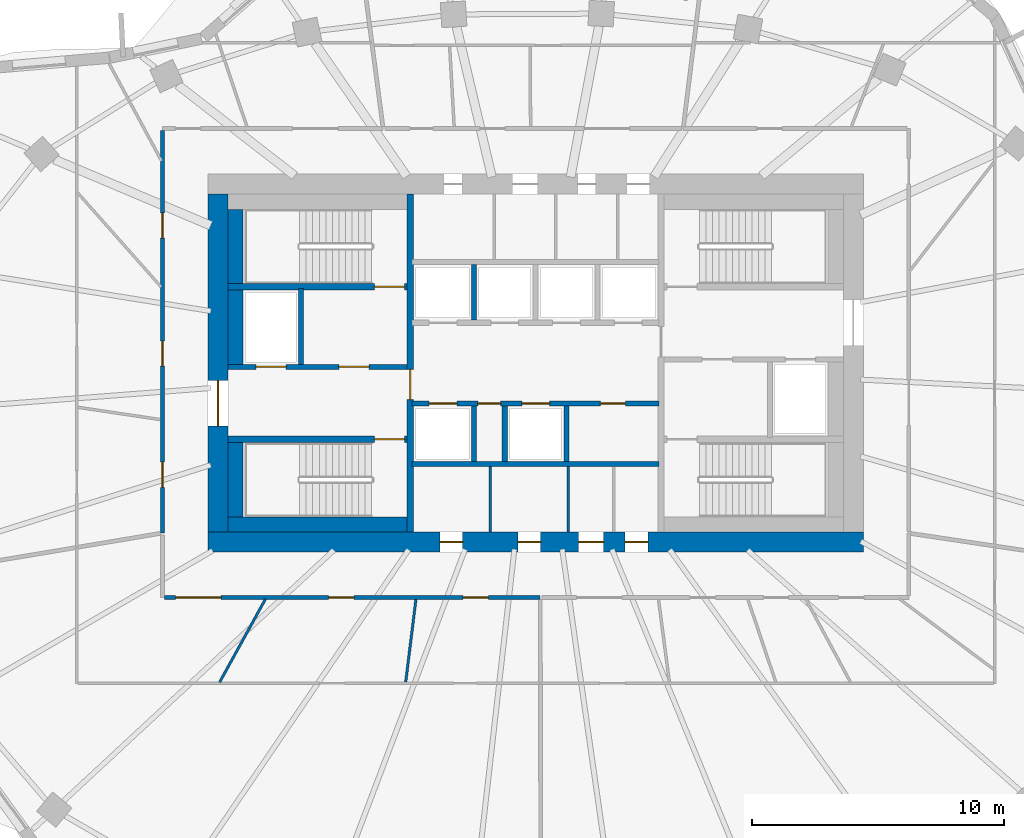
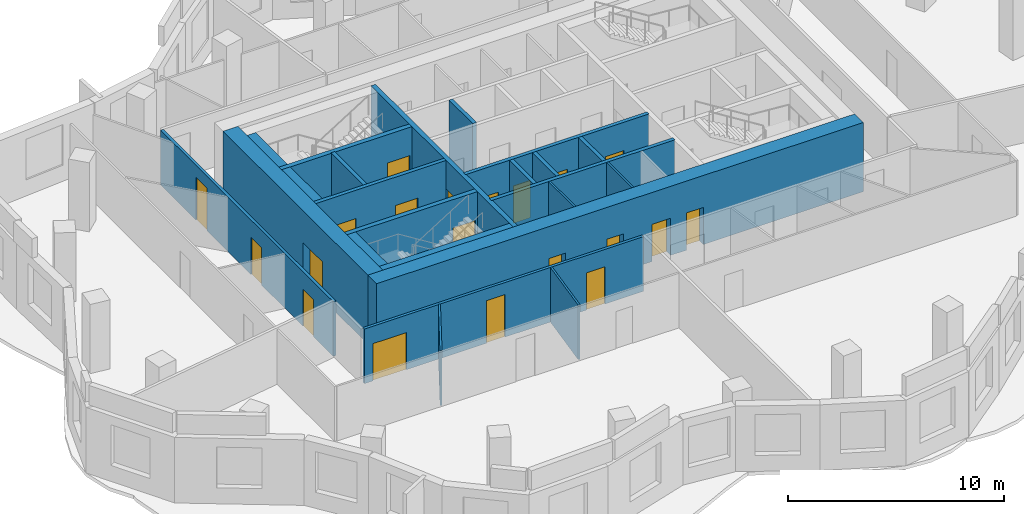
# One storey, part 4 of 9: 23 walls, 20 doors, 20 openings.
"""IFC4 building model written with IfcOpenShell, lengths in metres."""

from ifc_helpers import new_model, si_unit, direction, frame, frame_2d, origin, place, context, subcontext, project, spatial, rectangle, extrude, material, layer, layer_set, type_object, element, fill, save


model = new_model("IFC4")

# Units and contexts
model_context = context("Model", 3, precision=1e-05, world=origin(), true_north=direction((0.0, 1.0)))
body_context = subcontext(model_context, "Body", "Model", "MODEL_VIEW")
ifc_project = project(units=[si_unit("LENGTHUNIT", "METRE"), si_unit("AREAUNIT", "SQUARE_METRE"), si_unit("VOLUMEUNIT", "CUBIC_METRE"), si_unit("PLANEANGLEUNIT", "RADIAN"), si_unit("MASSUNIT", "GRAM", prefix="KILO")], contexts=[model_context])

# Site, building, storey
site_placement = place(None, origin())
site = spatial("IfcSite", under=ifc_project, at=site_placement, CompositionType="ELEMENT")
building_placement = place(site_placement, origin())
building = spatial("IfcBuilding", under=site, at=building_placement, Name="Rubra Terraces Tower", CompositionType="ELEMENT")
storey_placement = place(building_placement, frame((0.0, 0.0, 225.300048828125)))
storey = spatial("IfcBuildingStorey", under=building, at=storey_placement, Name="L55", CompositionType="ELEMENT", Elevation=225.300048828125)

# Wall, openings, doors
ifc_material_1 = material(Name="Concrete C50", Category="concrete")
ifc_layer_1 = layer(ifc_material_1, 0.800048828125)
ifc_layer_set_1 = layer_set([ifc_layer_1], Name="Concrete C50")
wall_type_1 = type_object("IfcWallType", Name="CORE WALL 800 C50", PredefinedType="SHEAR", material=ifc_layer_set_1)
wall_1_placement = place(storey_placement, frame((-13.0, -2.60009765625, 0.0), z_axis=(0.0, 0.0, 1.0), x_axis=(1.0, 0.0, 0.0)))
wall_1 = element("IfcWall", 1, at=wall_1_placement, inside=storey, type_object=wall_type_1, Name="CORE WALL S L55", PredefinedType="SHEAR", context=body_context, shape_type="SweptSolid", body=[
    extrude(rectangle(XDim=26.0, YDim=0.800048828125, at=frame_2d((13.0, 0.0))), origin(), (0.0, 0.0, 1.0), 3.89990234375),
])
opening_1_placement = place(wall_1_placement, frame((9.199951171875, 0.0, 0.0)))
opening_1 = element("IfcOpeningElement", 2, at=opening_1_placement, cuts=wall_1, Name="Opening L55.C21", PredefinedType="OPENING", context=body_context, shape_type="SweptSolid", body=[
    extrude(rectangle(XDim=0.89990234375, YDim=2.10009765625, at=frame_2d((0.449951171875, 1.050048828125))), frame((0.0, 0.409912109375, 0.0), z_axis=(0.0, -1.0, 0.0), x_axis=(1.0, 0.0, 0.0)), (0.0, 0.0, 1.0), 0.820068359375),
])
opening_2_placement = place(wall_1_placement, frame((12.300048828125, 0.0, 0.0)))
opening_2 = element("IfcOpeningElement", 3, at=opening_2_placement, cuts=wall_1, Name="Opening L55.C22", PredefinedType="OPENING", context=body_context, shape_type="SweptSolid", body=[
    extrude(rectangle(XDim=0.89990234375, YDim=2.10009765625, at=frame_2d((0.449951171875, 1.050048828125))), frame((0.0, 0.409912109375, 0.0), z_axis=(0.0, -1.0, 0.0), x_axis=(1.0, 0.0, 0.0)), (0.0, 0.0, 1.0), 0.820068359375),
])
opening_3_placement = place(wall_1_placement, frame((14.699951171875, 0.0, 0.0)))
opening_3 = element("IfcOpeningElement", 4, at=opening_3_placement, cuts=wall_1, Name="Opening L55.C23", PredefinedType="OPENING", context=body_context, shape_type="SweptSolid", body=[
    extrude(rectangle(XDim=1.0, YDim=2.10009765625, at=frame_2d((0.5, 1.050048828125))), frame((0.0, 0.409912109375, 0.0), z_axis=(0.0, -1.0, 0.0), x_axis=(1.0, 0.0, 0.0)), (0.0, 0.0, 1.0), 0.820068359375),
])
opening_4_placement = place(wall_1_placement, frame((16.550048828125, 0.0, 0.0)))
opening_4 = element("IfcOpeningElement", 5, at=opening_4_placement, cuts=wall_1, Name="Opening L55.C24", PredefinedType="OPENING", context=body_context, shape_type="SweptSolid", body=[
    extrude(rectangle(XDim=0.89990234375, YDim=2.10009765625, at=frame_2d((0.449951171875, 1.050048828125))), frame((0.0, 0.409912109375, 0.0), z_axis=(0.0, -1.0, 0.0), x_axis=(1.0, 0.0, 0.0)), (0.0, 0.0, 1.0), 0.820068359375),
])
ifc_material_2 = material(Name="Painted steel", Category="steel")
door_type_1 = type_object("IfcDoorType", Name="Fire door 1000x2100 single", OperationType="NOTDEFINED", PredefinedType="DOOR", material=ifc_material_2)
door_1_placement = place(opening_3_placement, origin())
door_1 = element("IfcDoor", 6, at=door_1_placement, inside=storey, type_object=door_type_1, Name="Accessible WC door", OperationType="SINGLE_SWING_LEFT", OverallHeight=2.10009765625, OverallWidth=1.0, PredefinedType="DOOR", context=body_context, shape_type="SweptSolid", body=[
    extrude(rectangle(XDim=1.0, YDim=2.10009765625, at=frame_2d((0.5, 1.050048828125))), frame((0.0, 0.02490234375, 0.0), z_axis=(0.0, -1.0, 0.0), x_axis=(1.0, 0.0, 0.0)), (0.0, 0.0, 1.0), 0.050048828125),
])
fill(opening_3, door_1)
door_type_2 = type_object("IfcDoorType", Name="Fire door 900x2100 single", OperationType="NOTDEFINED", PredefinedType="DOOR", material=ifc_material_2)
door_2_placement = place(opening_1_placement, origin())
door_2 = element("IfcDoor", 7, at=door_2_placement, inside=storey, type_object=door_type_2, Name="Gents WC door", OperationType="SINGLE_SWING_LEFT", OverallHeight=2.10009765625, OverallWidth=0.89990234375, PredefinedType="DOOR", context=body_context, shape_type="SweptSolid", body=[
    extrude(rectangle(XDim=0.89990234375, YDim=2.10009765625, at=frame_2d((0.449951171875, 1.050048828125))), frame((0.0, 0.02490234375, 0.0), z_axis=(0.0, -1.0, 0.0), x_axis=(1.0, 0.0, 0.0)), (0.0, 0.0, 1.0), 0.050048828125),
])
fill(opening_1, door_2)
door_3_placement = place(opening_2_placement, origin())
door_3 = element("IfcDoor", 8, at=door_3_placement, inside=storey, type_object=door_type_2, Name="Ladies WC door", OperationType="SINGLE_SWING_RIGHT", OverallHeight=2.10009765625, OverallWidth=0.89990234375, PredefinedType="DOOR", context=body_context, shape_type="SweptSolid", body=[
    extrude(rectangle(XDim=0.89990234375, YDim=2.10009765625, at=frame_2d((0.449951171875, 1.050048828125))), frame((0.0, 0.02490234375, 0.0), z_axis=(0.0, -1.0, 0.0), x_axis=(1.0, 0.0, 0.0)), (0.0, 0.0, 1.0), 0.050048828125),
])
fill(opening_2, door_3)
door_4_placement = place(opening_4_placement, origin())
door_4 = element("IfcDoor", 9, at=door_4_placement, inside=storey, type_object=door_type_2, Name="Cleaner's store door", OperationType="SINGLE_SWING_RIGHT", OverallHeight=2.10009765625, OverallWidth=0.89990234375, PredefinedType="DOOR", context=body_context, shape_type="SweptSolid", body=[
    extrude(rectangle(XDim=0.89990234375, YDim=2.10009765625, at=frame_2d((0.449951171875, 1.050048828125))), frame((0.0, 0.02490234375, 0.0), z_axis=(0.0, -1.0, 0.0), x_axis=(1.0, 0.0, 0.0)), (0.0, 0.0, 1.0), 0.050048828125),
])
fill(opening_4, door_4)

# Wall, opening, door
wall_2_placement = place(storey_placement, frame((-12.60009765625, -2.199951171875, 0.0), z_axis=(0.0, 0.0, 1.0), x_axis=(0.0, 1.0, 0.0)))
wall_2 = element("IfcWall", 10, at=wall_2_placement, inside=storey, type_object=wall_type_1, Name="CORE WALL W L55", PredefinedType="SHEAR", context=body_context, shape_type="SweptSolid", body=[
    extrude(rectangle(XDim=13.39990234375, YDim=0.800048828125, at=frame_2d((6.699951171875, 0.0))), origin(), (0.0, 0.0, 1.0), 3.89990234375),
])
opening_5_placement = place(wall_2_placement, frame((4.199951171875, 0.0, 0.0)))
opening_5 = element("IfcOpeningElement", 11, at=opening_5_placement, cuts=wall_2, Name="Opening L55.C01", PredefinedType="OPENING", context=body_context, shape_type="SweptSolid", body=[
    extrude(rectangle(XDim=1.800048828125, YDim=2.10009765625, at=frame_2d((0.89990234375, 1.050048828125))), frame((0.0, 0.409912109375, 0.0), z_axis=(0.0, -1.0, 0.0), x_axis=(1.0, 0.0, 0.0)), (0.0, 0.0, 1.0), 0.820068359375),
])
door_type_3 = type_object("IfcDoorType", Name="Fire door 1800x2100 double", OperationType="NOTDEFINED", PredefinedType="DOOR", material=ifc_material_2)
door_5_placement = place(opening_5_placement, origin())
door_5 = element("IfcDoor", 12, at=door_5_placement, inside=storey, type_object=door_type_3, Name="Core entrance door FF1", OperationType="DOUBLE_DOOR_SINGLE_SWING", OverallHeight=2.10009765625, OverallWidth=1.800048828125, PredefinedType="DOOR", context=body_context, shape_type="SweptSolid", body=[
    extrude(rectangle(XDim=1.800048828125, YDim=2.10009765625, at=frame_2d((0.89990234375, 1.050048828125))), frame((0.0, 0.02490234375, 0.0), z_axis=(0.0, -1.0, 0.0), x_axis=(1.0, 0.0, 0.0)), (0.0, 0.0, 1.0), 0.050048828125),
])
fill(opening_5, door_5)

# Wall, openings, doors
ifc_material_3 = material(Name="Plasterboard on steel stud, mineral wool infill", Category="steel")
ifc_layer_2 = layer(ifc_material_3, 0.14990234375)
ifc_layer_set_2 = layer_set([ifc_layer_2], Name="Plasterboard on steel stud, mineral wool infill")
wall_type_2 = type_object("IfcWallType", Name="CORRIDOR PARTITION 150", PredefinedType="PARTITIONING", material=ifc_layer_set_2)
wall_3_placement = place(storey_placement, frame((-14.800048828125, 13.72509765625, 0.0), z_axis=(0.0, 0.0, 1.0), x_axis=(0.0, -1.0, 0.0)))
wall_3 = element("IfcWall", 13, at=wall_3_placement, inside=storey, type_object=wall_type_2, Name="PARTITION", PredefinedType="PARTITIONING", context=body_context, shape_type="SweptSolid", body=[
    extrude(rectangle(XDim=15.965087890625, YDim=0.14990234375, at=frame_2d((7.982421875, 0.0))), origin(), (0.0, 0.0, 1.0), 3.083984375),
])
opening_6_placement = place(wall_3_placement, frame((3.27099609375, 0.0, 0.0)))
opening_6 = element("IfcOpeningElement", 14, at=opening_6_placement, cuts=wall_3, Name="Opening 55-103", PredefinedType="OPENING", context=body_context, shape_type="SweptSolid", body=[
    extrude(rectangle(XDim=1.0, YDim=2.39990234375, at=frame_2d((0.5, 1.199951171875))), frame((0.0, 0.0849609375, 0.0), z_axis=(0.0, -1.0, 0.0), x_axis=(1.0, 0.0, 0.0)), (0.0, 0.0, 1.0), 0.169921875),
])
opening_7_placement = place(wall_3_placement, frame((8.35009765625, 0.0, 0.0)))
opening_7 = element("IfcOpeningElement", 15, at=opening_7_placement, cuts=wall_3, Name="Opening 55-121", PredefinedType="OPENING", context=body_context, shape_type="SweptSolid", body=[
    extrude(rectangle(XDim=1.0, YDim=2.10009765625, at=frame_2d((0.5, 1.050048828125))), frame((0.0, 0.0849609375, 0.0), z_axis=(0.0, -1.0, 0.0), x_axis=(1.0, 0.0, 0.0)), (0.0, 0.0, 1.0), 0.169921875),
])
opening_8_placement = place(wall_3_placement, frame((13.14990234375, 0.0, 0.0)))
opening_8 = element("IfcOpeningElement", 16, at=opening_8_placement, cuts=wall_3, Name="Opening 55-122", PredefinedType="OPENING", context=body_context, shape_type="SweptSolid", body=[
    extrude(rectangle(XDim=1.0, YDim=2.10009765625, at=frame_2d((0.5, 1.050048828125))), frame((0.0, 0.0849609375, 0.0), z_axis=(0.0, -1.0, 0.0), x_axis=(1.0, 0.0, 0.0)), (0.0, 0.0, 1.0), 0.169921875),
])
ifc_material_4 = material(Name="Glazed aluminium meeting door leaf", Category="aluminium")
door_type_4 = type_object("IfcDoorType", Name="MEETING ROOM GLAZED DOOR 1000 X 2400", OperationType="SINGLE_SWING_LEFT", PredefinedType="DOOR", material=ifc_material_4)
door_6_placement = place(opening_6_placement, origin())
door_6 = element("IfcDoor", 17, at=door_6_placement, inside=storey, type_object=door_type_4, Name="DOOR 55-103", OperationType="SINGLE_SWING_RIGHT", OverallHeight=2.39990234375, OverallWidth=1.0, PredefinedType="DOOR", context=body_context, shape_type="SweptSolid", body=[
    extrude(rectangle(XDim=1.0, YDim=2.39990234375, at=frame_2d((0.5, 1.199951171875))), frame((0.0, 0.02490234375, 0.0), z_axis=(0.0, -1.0, 0.0), x_axis=(1.0, 0.0, 0.0)), (0.0, 0.0, 1.0), 0.050048828125),
])
fill(opening_6, door_6)
ifc_material_5 = material(Name="Painted timber door leaf", Category="wood")
door_type_5 = type_object("IfcDoorType", Name="ROOM DOOR 1000 X 2100", OperationType="SINGLE_SWING_LEFT", PredefinedType="DOOR", material=ifc_material_5)
door_7_placement = place(opening_7_placement, origin())
door_7 = element("IfcDoor", 18, at=door_7_placement, inside=storey, type_object=door_type_5, Name="DOOR 55-121", OperationType="SINGLE_SWING_RIGHT", OverallHeight=2.10009765625, OverallWidth=1.0, PredefinedType="DOOR", context=body_context, shape_type="SweptSolid", body=[
    extrude(rectangle(XDim=1.0, YDim=2.10009765625, at=frame_2d((0.5, 1.050048828125))), frame((0.0, 0.02490234375, 0.0), z_axis=(0.0, -1.0, 0.0), x_axis=(1.0, 0.0, 0.0)), (0.0, 0.0, 1.0), 0.050048828125),
])
fill(opening_7, door_7)
door_8_placement = place(opening_8_placement, origin())
door_8 = element("IfcDoor", 19, at=door_8_placement, inside=storey, type_object=door_type_5, Name="DOOR 55-122", OperationType="SINGLE_SWING_RIGHT", OverallHeight=2.10009765625, OverallWidth=1.0, PredefinedType="DOOR", context=body_context, shape_type="SweptSolid", body=[
    extrude(rectangle(XDim=1.0, YDim=2.10009765625, at=frame_2d((0.5, 1.050048828125))), frame((0.0, 0.02490234375, 0.0), z_axis=(0.0, -1.0, 0.0), x_axis=(1.0, 0.0, 0.0)), (0.0, 0.0, 1.0), 0.050048828125),
])
fill(opening_8, door_8)

wall_4_placement = place(storey_placement, frame((-14.72509765625, -4.800048828125, 0.0), z_axis=(0.0, 0.0, 1.0), x_axis=(1.0, 0.0, 0.0)))
wall_4 = element("IfcWall", 20, at=wall_4_placement, inside=storey, type_object=wall_type_2, Name="PARTITION", PredefinedType="PARTITIONING", context=body_context, shape_type="SweptSolid", body=[
    extrude(rectangle(XDim=14.90625, YDim=0.14990234375, at=frame_2d((7.453125, 0.0))), origin(), (0.0, 0.0, 1.0), 3.083984375),
])
opening_9_placement = place(wall_4_placement, frame((0.449951171875, 0.0, 0.0)))
opening_9 = element("IfcOpeningElement", 21, at=opening_9_placement, cuts=wall_4, Name="Opening 55-106", PredefinedType="OPENING", context=body_context, shape_type="SweptSolid", body=[
    extrude(rectangle(XDim=1.800048828125, YDim=2.10009765625, at=frame_2d((0.89990234375, 1.050048828125))), frame((0.0, 0.0849609375, 0.0), z_axis=(0.0, -1.0, 0.0), x_axis=(1.0, 0.0, 0.0)), (0.0, 0.0, 1.0), 0.169921875),
])
opening_10_placement = place(wall_4_placement, frame((6.513916015625, 0.0, 0.0)))
opening_10 = element("IfcOpeningElement", 22, at=opening_10_placement, cuts=wall_4, Name="Opening 55-107", PredefinedType="OPENING", context=body_context, shape_type="SweptSolid", body=[
    extrude(rectangle(XDim=1.0, YDim=2.39990234375, at=frame_2d((0.5, 1.199951171875))), frame((0.0, 0.0849609375, 0.0), z_axis=(0.0, -1.0, 0.0), x_axis=(1.0, 0.0, 0.0)), (0.0, 0.0, 1.0), 0.169921875),
])
opening_11_placement = place(wall_4_placement, frame((11.85009765625, 0.0, 0.0)))
opening_11 = element("IfcOpeningElement", 23, at=opening_11_placement, cuts=wall_4, Name="Opening 55-124", PredefinedType="OPENING", context=body_context, shape_type="SweptSolid", body=[
    extrude(rectangle(XDim=1.0, YDim=2.10009765625, at=frame_2d((0.5, 1.050048828125))), frame((0.0, 0.0849609375, 0.0), z_axis=(0.0, -1.0, 0.0), x_axis=(1.0, 0.0, 0.0)), (0.0, 0.0, 1.0), 0.169921875),
])
door_9_placement = place(opening_10_placement, origin())
door_9 = element("IfcDoor", 24, at=door_9_placement, inside=storey, type_object=door_type_4, Name="DOOR 55-107", OperationType="SINGLE_SWING_RIGHT", OverallHeight=2.39990234375, OverallWidth=1.0, PredefinedType="DOOR", context=body_context, shape_type="SweptSolid", body=[
    extrude(rectangle(XDim=1.0, YDim=2.39990234375, at=frame_2d((0.5, 1.199951171875))), frame((0.0, 0.02490234375, 0.0), z_axis=(0.0, -1.0, 0.0), x_axis=(1.0, 0.0, 0.0)), (0.0, 0.0, 1.0), 0.050048828125),
])
fill(opening_10, door_9)
door_10_placement = place(opening_11_placement, origin())
door_10 = element("IfcDoor", 25, at=door_10_placement, inside=storey, type_object=door_type_5, Name="DOOR 55-124", OperationType="SINGLE_SWING_RIGHT", OverallHeight=2.10009765625, OverallWidth=1.0, PredefinedType="DOOR", context=body_context, shape_type="SweptSolid", body=[
    extrude(rectangle(XDim=1.0, YDim=2.10009765625, at=frame_2d((0.5, 1.050048828125))), frame((0.0, 0.02490234375, 0.0), z_axis=(0.0, -1.0, 0.0), x_axis=(1.0, 0.0, 0.0)), (0.0, 0.0, 1.0), 0.050048828125),
])
fill(opening_11, door_10)
ifc_material_6 = material(Name="Painted timber door leaf, double", Category="wood")
door_type_6 = type_object("IfcDoorType", Name="ROOM DOUBLE DOOR 1800 X 2100", OperationType="DOUBLE_DOOR_SINGLE_SWING", PredefinedType="DOOR", material=ifc_material_6)
door_11_placement = place(opening_9_placement, origin())
door_11 = element("IfcDoor", 26, at=door_11_placement, inside=storey, type_object=door_type_6, Name="DOOR 55-106", OperationType="DOUBLE_DOOR_SINGLE_SWING", OverallHeight=2.10009765625, OverallWidth=1.800048828125, PredefinedType="DOOR", context=body_context, shape_type="SweptSolid", body=[
    extrude(rectangle(XDim=1.800048828125, YDim=2.10009765625, at=frame_2d((0.89990234375, 1.050048828125))), frame((0.0, 0.02490234375, 0.0), z_axis=(0.0, -1.0, 0.0), x_axis=(1.0, 0.0, 0.0)), (0.0, 0.0, 1.0), 0.050048828125),
])
fill(opening_9, door_11)

# Walls
ifc_material_7 = material(Name="Concrete C40", Category="concrete")
ifc_layer_3 = layer(ifc_material_7, 0.60009765625)
ifc_layer_set_3 = layer_set([ifc_layer_3], Name="Concrete C40")
wall_type_3 = type_object("IfcWallType", Name="Core lining wall 600 concrete", PredefinedType="SOLIDWALL", material=ifc_layer_set_3)
wall_5_placement = place(storey_placement, frame((-12.199951171875, -1.89990234375, 0.0), z_axis=(0.0, 0.0, 1.0), x_axis=(1.0, 0.0, 0.0)))
element("IfcWall", 27, at=wall_5_placement, inside=storey, type_object=wall_type_3, Name="CORE LINING WALL L55", PredefinedType="SOLIDWALL", context=body_context, shape_type="SweptSolid", body=[
    extrude(rectangle(XDim=7.099853515625, YDim=0.60009765625, at=frame_2d((3.5498046875, 0.0))), origin(), (0.0, 0.0, 1.0), 3.699951171875),
])
wall_6_placement = place(storey_placement, frame((-11.89990234375, -1.60009765625, 0.0), z_axis=(0.0, 0.0, 1.0), x_axis=(0.0, 1.0, 0.0)))
element("IfcWall", 28, at=wall_6_placement, inside=storey, type_object=wall_type_3, Name="CORE LINING WALL L55", PredefinedType="SOLIDWALL", context=body_context, shape_type="SweptSolid", body=[
    extrude(rectangle(XDim=2.9501953125, YDim=0.60009765625, at=frame_2d((1.47509765625, 0.0))), origin(), (0.0, 0.0, 1.0), 3.699951171875),
])
wall_7_placement = place(storey_placement, frame((-11.89990234375, 4.449951171875, 0.0), z_axis=(0.0, 0.0, 1.0), x_axis=(0.0, 1.0, 0.0)))
element("IfcWall", 29, at=wall_7_placement, inside=storey, type_object=wall_type_3, Name="CORE LINING WALL L55", PredefinedType="SOLIDWALL", context=body_context, shape_type="SweptSolid", body=[
    extrude(rectangle(XDim=3.0, YDim=0.60009765625, at=frame_2d((1.5, 0.0))), origin(), (0.0, 0.0, 1.0), 3.699951171875),
])
wall_8_placement = place(storey_placement, frame((-11.89990234375, 7.64990234375, 0.0), z_axis=(0.0, 0.0, 1.0), x_axis=(0.0, 1.0, 0.0)))
element("IfcWall", 30, at=wall_8_placement, inside=storey, type_object=wall_type_3, Name="CORE LINING WALL L55", PredefinedType="SOLIDWALL", context=body_context, shape_type="SweptSolid", body=[
    extrude(rectangle(XDim=2.9501953125, YDim=0.60009765625, at=frame_2d((1.47509765625, 0.0))), origin(), (0.0, 0.0, 1.0), 3.699951171875),
])

# Wall, openings, doors
ifc_material_8 = material(Name="Concrete C30", Category="concrete")
ifc_layer_4 = layer(ifc_material_8, 0.199951171875)
ifc_layer_set_4 = layer_set([ifc_layer_4], Name="Concrete C30")
wall_type_4 = type_object("IfcWallType", Name="Core wall 200 concrete", PredefinedType="SOLIDWALL", material=ifc_layer_set_4)
wall_9_placement = place(storey_placement, frame((-12.199951171875, 4.35009765625, 0.0), z_axis=(0.0, 0.0, 1.0), x_axis=(1.0, 0.0, 0.0)))
wall_9 = element("IfcWall", 31, at=wall_9_placement, inside=storey, type_object=wall_type_4, Name="STAIR WALL L55", PredefinedType="SOLIDWALL", context=body_context, shape_type="SweptSolid", body=[
    extrude(rectangle(XDim=7.099853515625, YDim=0.199951171875, at=frame_2d((3.5498046875, 0.0))), origin(), (0.0, 0.0, 1.0), 3.699951171875),
])
opening_12_placement = place(wall_9_placement, frame((4.39990234375, 0.0, 0.0)))
opening_12 = element("IfcOpeningElement", 32, at=opening_12_placement, cuts=wall_9, Name="Opening L55.C05", PredefinedType="OPENING", context=body_context, shape_type="SweptSolid", body=[
    extrude(rectangle(XDim=1.199951171875, YDim=2.10009765625, at=frame_2d((0.60009765625, 1.050048828125))), frame((0.0, 0.10986328125, 0.0), z_axis=(0.0, -1.0, 0.0), x_axis=(1.0, 0.0, 0.0)), (0.0, 0.0, 1.0), 0.219970703125),
])
opening_13_placement = place(wall_9_placement, frame((1.10009765625, 0.0, 0.0)))
opening_13 = element("IfcOpeningElement", 33, at=opening_13_placement, cuts=wall_9, Name="Opening L55.C11", PredefinedType="OPENING", context=body_context, shape_type="SweptSolid", body=[
    extrude(rectangle(XDim=1.199951171875, YDim=2.10009765625, at=frame_2d((0.60009765625, 1.050048828125))), frame((0.0, 0.10986328125, 0.0), z_axis=(0.0, -1.0, 0.0), x_axis=(1.0, 0.0, 0.0)), (0.0, 0.0, 1.0), 0.219970703125),
])
door_type_7 = type_object("IfcDoorType", Name="Fire door 1200x2100 single", OperationType="NOTDEFINED", PredefinedType="DOOR", material=ifc_material_2)
door_12_placement = place(opening_12_placement, origin())
door_12 = element("IfcDoor", 34, at=door_12_placement, inside=storey, type_object=door_type_7, Name="Stair vestibule door S2", OperationType="SINGLE_SWING_LEFT", OverallHeight=2.10009765625, OverallWidth=1.199951171875, PredefinedType="DOOR", context=body_context, shape_type="SweptSolid", body=[
    extrude(rectangle(XDim=1.199951171875, YDim=2.10009765625, at=frame_2d((0.60009765625, 1.050048828125))), frame((0.0, 0.02490234375, 0.0), z_axis=(0.0, -1.0, 0.0), x_axis=(1.0, 0.0, 0.0)), (0.0, 0.0, 1.0), 0.050048828125),
])
fill(opening_12, door_12)
ifc_material_9 = material(Name="Stainless steel", Category="steel")
door_type_8 = type_object("IfcDoorType", Name="Lift landing door 1200x2100", OperationType="NOTDEFINED", PredefinedType="DOOR", material=ifc_material_9)
door_13_placement = place(opening_13_placement, origin())
door_13 = element("IfcDoor", 35, at=door_13_placement, inside=storey, type_object=door_type_8, Name="Landing door FF1", OperationType="SLIDING_TO_RIGHT", OverallHeight=2.10009765625, OverallWidth=1.199951171875, PredefinedType="DOOR", context=body_context, shape_type="SweptSolid", body=[
    extrude(rectangle(XDim=1.199951171875, YDim=2.10009765625, at=frame_2d((0.60009765625, 1.050048828125))), frame((0.0, 0.02490234375, 0.0), z_axis=(0.0, -1.0, 0.0), x_axis=(1.0, 0.0, 0.0)), (0.0, 0.0, 1.0), 0.050048828125),
])
fill(opening_13, door_13)

# Walls
wall_10_placement = place(storey_placement, frame((-9.300048828125, 4.449951171875, 0.0), z_axis=(0.0, 0.0, 1.0), x_axis=(0.0, 1.0, 0.0)))
element("IfcWall", 36, at=wall_10_placement, inside=storey, type_object=wall_type_4, Name="STAIR WALL L55", PredefinedType="SOLIDWALL", context=body_context, shape_type="SweptSolid", body=[
    extrude(rectangle(XDim=3.0, YDim=0.199951171875, at=frame_2d((1.5, 0.0))), origin(), (0.0, 0.0, 1.0), 3.699951171875),
])
wall_11_placement = place(storey_placement, frame((-4.89990234375, 0.5, 0.0), z_axis=(0.0, 0.0, 1.0), x_axis=(1.0, 0.0, 0.0)))
element("IfcWall", 37, at=wall_11_placement, inside=storey, type_object=wall_type_4, Name="LIFT SHAFT WALL L55", PredefinedType="SOLIDWALL", context=body_context, shape_type="SweptSolid", body=[
    extrude(rectangle(XDim=9.7998046875, YDim=0.199951171875, at=frame_2d((4.89990234375, 0.0))), origin(), (0.0, 0.0, 1.0), 3.699951171875),
])

# Wall, openings, doors
wall_12_placement = place(storey_placement, frame((-4.89990234375, 2.89990234375, 0.0), z_axis=(0.0, 0.0, 1.0), x_axis=(1.0, 0.0, 0.0)))
wall_12 = element("IfcWall", 38, at=wall_12_placement, inside=storey, type_object=wall_type_4, Name="LIFT SHAFT WALL L55", PredefinedType="SOLIDWALL", context=body_context, shape_type="SweptSolid", body=[
    extrude(rectangle(XDim=9.7998046875, YDim=0.199951171875, at=frame_2d((4.89990234375, 0.0))), origin(), (0.0, 0.0, 1.0), 3.699951171875),
])
opening_14_placement = place(wall_12_placement, frame((0.675048828125, 0.0, 0.0)))
opening_14 = element("IfcOpeningElement", 39, at=opening_14_placement, cuts=wall_12, Name="Opening L55.C13", PredefinedType="OPENING", context=body_context, shape_type="SweptSolid", body=[
    extrude(rectangle(XDim=1.10009765625, YDim=2.10009765625, at=frame_2d((0.550048828125, 1.050048828125))), frame((0.0, 0.10986328125, 0.0), z_axis=(0.0, -1.0, 0.0), x_axis=(1.0, 0.0, 0.0)), (0.0, 0.0, 1.0), 0.219970703125),
])
opening_15_placement = place(wall_12_placement, frame((2.613037109375, 0.0, 0.0)))
opening_15 = element("IfcOpeningElement", 40, at=opening_15_placement, cuts=wall_12, Name="Opening L55.C14", PredefinedType="OPENING", context=body_context, shape_type="SweptSolid", body=[
    extrude(rectangle(XDim=0.89990234375, YDim=2.10009765625, at=frame_2d((0.449951171875, 1.050048828125))), frame((0.0, 0.10986328125, 0.0), z_axis=(0.0, -1.0, 0.0), x_axis=(1.0, 0.0, 0.0)), (0.0, 0.0, 1.0), 0.219970703125),
])
opening_16_placement = place(wall_12_placement, frame((4.35009765625, 0.0, 0.0)))
opening_16 = element("IfcOpeningElement", 41, at=opening_16_placement, cuts=wall_12, Name="Opening L55.C15", PredefinedType="OPENING", context=body_context, shape_type="SweptSolid", body=[
    extrude(rectangle(XDim=1.10009765625, YDim=2.10009765625, at=frame_2d((0.550048828125, 1.050048828125))), frame((0.0, 0.10986328125, 0.0), z_axis=(0.0, -1.0, 0.0), x_axis=(1.0, 0.0, 0.0)), (0.0, 0.0, 1.0), 0.219970703125),
])
opening_17_placement = place(wall_12_placement, frame((7.462890625, 0.0, 0.0)))
opening_17 = element("IfcOpeningElement", 42, at=opening_17_placement, cuts=wall_12, Name="Opening L55.C16", PredefinedType="OPENING", context=body_context, shape_type="SweptSolid", body=[
    extrude(rectangle(XDim=1.0, YDim=2.10009765625, at=frame_2d((0.5, 1.050048828125))), frame((0.0, 0.10986328125, 0.0), z_axis=(0.0, -1.0, 0.0), x_axis=(1.0, 0.0, 0.0)), (0.0, 0.0, 1.0), 0.219970703125),
])
door_14_placement = place(opening_17_placement, origin())
door_14 = element("IfcDoor", 43, at=door_14_placement, inside=storey, type_object=door_type_1, Name="General store door", OperationType="SINGLE_SWING_RIGHT", OverallHeight=2.10009765625, OverallWidth=1.0, PredefinedType="DOOR", context=body_context, shape_type="SweptSolid", body=[
    extrude(rectangle(XDim=1.0, YDim=2.10009765625, at=frame_2d((0.5, 1.050048828125))), frame((0.0, 0.02490234375, 0.0), z_axis=(0.0, -1.0, 0.0), x_axis=(1.0, 0.0, 0.0)), (0.0, 0.0, 1.0), 0.050048828125),
])
fill(opening_17, door_14)
door_15_placement = place(opening_15_placement, origin())
door_15 = element("IfcDoor", 44, at=door_15_placement, inside=storey, type_object=door_type_2, Name="Cleaner's store door", OperationType="SINGLE_SWING_RIGHT", OverallHeight=2.10009765625, OverallWidth=0.89990234375, PredefinedType="DOOR", context=body_context, shape_type="SweptSolid", body=[
    extrude(rectangle(XDim=0.89990234375, YDim=2.10009765625, at=frame_2d((0.449951171875, 1.050048828125))), frame((0.0, 0.02490234375, 0.0), z_axis=(0.0, -1.0, 0.0), x_axis=(1.0, 0.0, 0.0)), (0.0, 0.0, 1.0), 0.050048828125),
])
fill(opening_15, door_15)
door_type_9 = type_object("IfcDoorType", Name="Lift landing door 1100x2100", OperationType="NOTDEFINED", PredefinedType="DOOR", material=ifc_material_9)
door_16_placement = place(opening_14_placement, origin())
door_16 = element("IfcDoor", 45, at=door_16_placement, inside=storey, type_object=door_type_9, Name="Landing door HB1", OperationType="SLIDING_TO_RIGHT", OverallHeight=2.10009765625, OverallWidth=1.10009765625, PredefinedType="DOOR", context=body_context, shape_type="SweptSolid", body=[
    extrude(rectangle(XDim=1.10009765625, YDim=2.10009765625, at=frame_2d((0.550048828125, 1.050048828125))), frame((0.0, 0.02490234375, 0.0), z_axis=(0.0, -1.0, 0.0), x_axis=(1.0, 0.0, 0.0)), (0.0, 0.0, 1.0), 0.050048828125),
])
fill(opening_14, door_16)
door_17_placement = place(opening_16_placement, origin())
door_17 = element("IfcDoor", 46, at=door_17_placement, inside=storey, type_object=door_type_9, Name="Landing door HB2", OperationType="SLIDING_TO_LEFT", OverallHeight=2.10009765625, OverallWidth=1.10009765625, PredefinedType="DOOR", context=body_context, shape_type="SweptSolid", body=[
    extrude(rectangle(XDim=1.10009765625, YDim=2.10009765625, at=frame_2d((0.550048828125, 1.050048828125))), frame((0.0, 0.02490234375, 0.0), z_axis=(0.0, -1.0, 0.0), x_axis=(1.0, 0.0, 0.0)), (0.0, 0.0, 1.0), 0.050048828125),
])
fill(opening_16, door_17)

# Walls
for number, where, z_axis, x_axis, name in (
    (47, (-2.449951171875, 0.60009765625, 0.0), (0.0, 0.0, 1.0), (0.0, 1.0, 0.0), "LIFT SHAFT WALL L55"),
    (48, (-1.22509765625, 0.60009765625, 0.0), (0.0, 0.0, 1.0), (0.0, 1.0, 0.0), "LIFT SHAFT WALL L55"),
    (49, (1.22509765625, 0.60009765625, 0.0), (0.0, 0.0, 1.0), (0.0, 1.0, 0.0), "LIFT SHAFT WALL L55"),
    (50, (-2.449951171875, 6.199951171875, 0.0), (0.0, 0.0, 1.0), (0.0, 1.0, 0.0), "LIFT SHAFT WALL L55"),
):
    element("IfcWall", number, at=place(storey_placement, frame(where, z_axis=z_axis, x_axis=x_axis)), inside=storey, type_object=wall_type_4, Name=name, PredefinedType="SOLIDWALL", context=body_context, shape_type="SweptSolid", body=[
        extrude(rectangle(XDim=2.199951171875, YDim=0.199951171875, at=frame_2d((1.10009765625, 0.0))), origin(), (0.0, 0.0, 1.0), 3.699951171875),
    ])
ifc_material_10 = material(Name="Plasterboard on steel stud", Category="steel")
ifc_layer_5 = layer(ifc_material_10, 0.10009765625)
ifc_layer_set_5 = layer_set([ifc_layer_5], Name="Plasterboard on steel stud")
wall_type_5 = type_object("IfcWallType", Name="ROOM PARTITION 100", PredefinedType="PARTITIONING", material=ifc_layer_set_5)
wall_13_placement = place(storey_placement, frame((-10.718994140625, -4.86572265625, 0.0), z_axis=(0.0, 0.0, 1.0), x_axis=(-0.482821394817, -0.87571884798, 0.0)))
element("IfcWall", 51, at=wall_13_placement, inside=storey, type_object=wall_type_5, Name="PARTITION", PredefinedType="PARTITIONING", context=body_context, shape_type="SweptSolid", body=[
    extrude(rectangle(XDim=3.757568359375, YDim=0.10009765625, at=frame_2d((1.87890625, 0.0))), origin(), (0.0, 0.0, 1.0), 3.083984375),
])
wall_14_placement = place(storey_placement, frame((-4.747802734375, -4.87451171875, 0.0), z_axis=(0.0, 0.0, 1.0), x_axis=(-0.122778403884, -0.992434110427, 0.0)))
element("IfcWall", 52, at=wall_14_placement, inside=storey, type_object=wall_type_5, Name="PARTITION", PredefinedType="PARTITIONING", context=body_context, shape_type="SweptSolid", body=[
    extrude(rectangle(XDim=3.30078125, YDim=0.10009765625, at=frame_2d((1.650390625, 0.0))), origin(), (0.0, 0.0, 1.0), 3.083984375),
])
ifc_material_11 = material(Name="Blockwork", Category="masonry")
ifc_layer_6 = layer(ifc_material_11, 0.10009765625)
ifc_layer_set_6 = layer_set([ifc_layer_6], Name="Blockwork")
wall_type_6 = type_object("IfcWallType", Name="Service partition 100 blockwork", PredefinedType="PARTITIONING", material=ifc_layer_set_6)
for number, where, z_axis, x_axis, name in (
    (53, (-1.800048828125, -2.199951171875, 0.0), (0.0, 0.0, 1.0), (0.0, 1.0, 0.0), "SERVICE ROOM PARTITION L55"),
    (54, (1.300048828125, -2.199951171875, 0.0), (0.0, 0.0, 1.0), (0.0, 1.0, 0.0), "SERVICE ROOM PARTITION L55"),
):
    element("IfcWall", number, at=place(storey_placement, frame(where, z_axis=z_axis, x_axis=x_axis)), inside=storey, type_object=wall_type_6, Name=name, PredefinedType="PARTITIONING", context=body_context, shape_type="SweptSolid", body=[
        extrude(rectangle(XDim=2.599853515625, YDim=0.10009765625, at=frame_2d((1.2998046875, 0.0))), origin(), (0.0, 0.0, 1.0), 3.699951171875),
    ])

# Wall, opening, door
ifc_layer_7 = layer(ifc_material_7, 0.25)
ifc_layer_set_7 = layer_set([ifc_layer_7], Name="Concrete C40")
wall_type_7 = type_object("IfcWallType", Name="Stair enclosure wall 250 concrete", PredefinedType="SOLIDWALL", material=ifc_layer_set_7)
wall_15_placement = place(storey_placement, frame((-12.199951171875, 1.47509765625, 0.0), z_axis=(0.0, 0.0, 1.0), x_axis=(1.0, 0.0, 0.0)))
wall_15 = element("IfcWall", 55, at=wall_15_placement, inside=storey, type_object=wall_type_7, Name="STAIR WALL L55", PredefinedType="SOLIDWALL", context=body_context, shape_type="SweptSolid", body=[
    extrude(rectangle(XDim=7.099853515625, YDim=0.25, at=frame_2d((3.5498046875, 0.0))), origin(), (0.0, 0.0, 1.0), 3.699951171875),
])
opening_18_placement = place(wall_15_placement, frame((5.800048828125, 0.0, 0.0)))
opening_18 = element("IfcOpeningElement", 56, at=opening_18_placement, cuts=wall_15, Name="Opening L55.C07", PredefinedType="OPENING", context=body_context, shape_type="SweptSolid", body=[
    extrude(rectangle(XDim=1.199951171875, YDim=2.10009765625, at=frame_2d((0.60009765625, 1.050048828125))), frame((0.0, 0.135009765625, 0.0), z_axis=(0.0, -1.0, 0.0), x_axis=(1.0, 0.0, 0.0)), (0.0, 0.0, 1.0), 0.27001953125),
])
door_18_placement = place(opening_18_placement, origin())
door_18 = element("IfcDoor", 57, at=door_18_placement, inside=storey, type_object=door_type_7, Name="Stair door S1", OperationType="SINGLE_SWING_LEFT", OverallHeight=2.10009765625, OverallWidth=1.199951171875, PredefinedType="DOOR", context=body_context, shape_type="SweptSolid", body=[
    extrude(rectangle(XDim=1.199951171875, YDim=2.10009765625, at=frame_2d((0.60009765625, 1.050048828125))), frame((0.0, 0.02490234375, 0.0), z_axis=(0.0, -1.0, 0.0), x_axis=(1.0, 0.0, 0.0)), (0.0, 0.0, 1.0), 0.050048828125),
])
fill(opening_18, door_18)

wall_16_placement = place(storey_placement, frame((-12.199951171875, 7.52490234375, 0.0), z_axis=(0.0, 0.0, 1.0), x_axis=(1.0, 0.0, 0.0)))
wall_16 = element("IfcWall", 58, at=wall_16_placement, inside=storey, type_object=wall_type_7, Name="STAIR WALL L55", PredefinedType="SOLIDWALL", context=body_context, shape_type="SweptSolid", body=[
    extrude(rectangle(XDim=7.099853515625, YDim=0.25, at=frame_2d((3.5498046875, 0.0))), origin(), (0.0, 0.0, 1.0), 3.699951171875),
])
opening_19_placement = place(wall_16_placement, frame((5.800048828125, 0.0, 0.0)))
opening_19 = element("IfcOpeningElement", 59, at=opening_19_placement, cuts=wall_16, Name="Opening L55.C09", PredefinedType="OPENING", context=body_context, shape_type="SweptSolid", body=[
    extrude(rectangle(XDim=1.199951171875, YDim=2.10009765625, at=frame_2d((0.60009765625, 1.050048828125))), frame((0.0, 0.135009765625, 0.0), z_axis=(0.0, -1.0, 0.0), x_axis=(1.0, 0.0, 0.0)), (0.0, 0.0, 1.0), 0.27001953125),
])
door_19_placement = place(opening_19_placement, origin())
door_19 = element("IfcDoor", 60, at=door_19_placement, inside=storey, type_object=door_type_7, Name="Stair door S2", OperationType="SINGLE_SWING_LEFT", OverallHeight=2.10009765625, OverallWidth=1.199951171875, PredefinedType="DOOR", context=body_context, shape_type="SweptSolid", body=[
    extrude(rectangle(XDim=1.199951171875, YDim=2.10009765625, at=frame_2d((0.60009765625, 1.050048828125))), frame((0.0, 0.02490234375, 0.0), z_axis=(0.0, -1.0, 0.0), x_axis=(1.0, 0.0, 0.0)), (0.0, 0.0, 1.0), 0.050048828125),
])
fill(opening_19, door_19)

wall_17_placement = place(storey_placement, frame((-4.97509765625, -2.199951171875, 0.0), z_axis=(0.0, 0.0, 1.0), x_axis=(0.0, 1.0, 0.0)))
wall_17 = element("IfcWall", 61, at=wall_17_placement, inside=storey, type_object=wall_type_7, Name="CORE LOBBY WALL L55", PredefinedType="SOLIDWALL", context=body_context, shape_type="SweptSolid", body=[
    extrude(rectangle(XDim=13.39990234375, YDim=0.25, at=frame_2d((6.699951171875, 0.0))), origin(), (0.0, 0.0, 1.0), 3.699951171875),
])
opening_20_placement = place(wall_17_placement, frame((5.25, 0.0, 0.0)))
opening_20 = element("IfcOpeningElement", 62, at=opening_20_placement, cuts=wall_17, Name="Opening L55.C03", PredefinedType="OPENING", context=body_context, shape_type="SweptSolid", body=[
    extrude(rectangle(XDim=1.199951171875, YDim=2.10009765625, at=frame_2d((0.60009765625, 1.050048828125))), frame((0.0, 0.135009765625, 0.0), z_axis=(0.0, -1.0, 0.0), x_axis=(1.0, 0.0, 0.0)), (0.0, 0.0, 1.0), 0.27001953125),
])
door_20_placement = place(opening_20_placement, origin())
door_20 = element("IfcDoor", 63, at=door_20_placement, inside=storey, type_object=door_type_7, Name="Firefighting lobby door FF1", OperationType="SINGLE_SWING_LEFT", OverallHeight=2.10009765625, OverallWidth=1.199951171875, PredefinedType="DOOR", context=body_context, shape_type="SweptSolid", body=[
    extrude(rectangle(XDim=1.199951171875, YDim=2.10009765625, at=frame_2d((0.60009765625, 1.050048828125))), frame((0.0, 0.02490234375, 0.0), z_axis=(0.0, -1.0, 0.0), x_axis=(1.0, 0.0, 0.0)), (0.0, 0.0, 1.0), 0.050048828125),
])
fill(opening_20, door_20)

save(model, "model.ifc")
